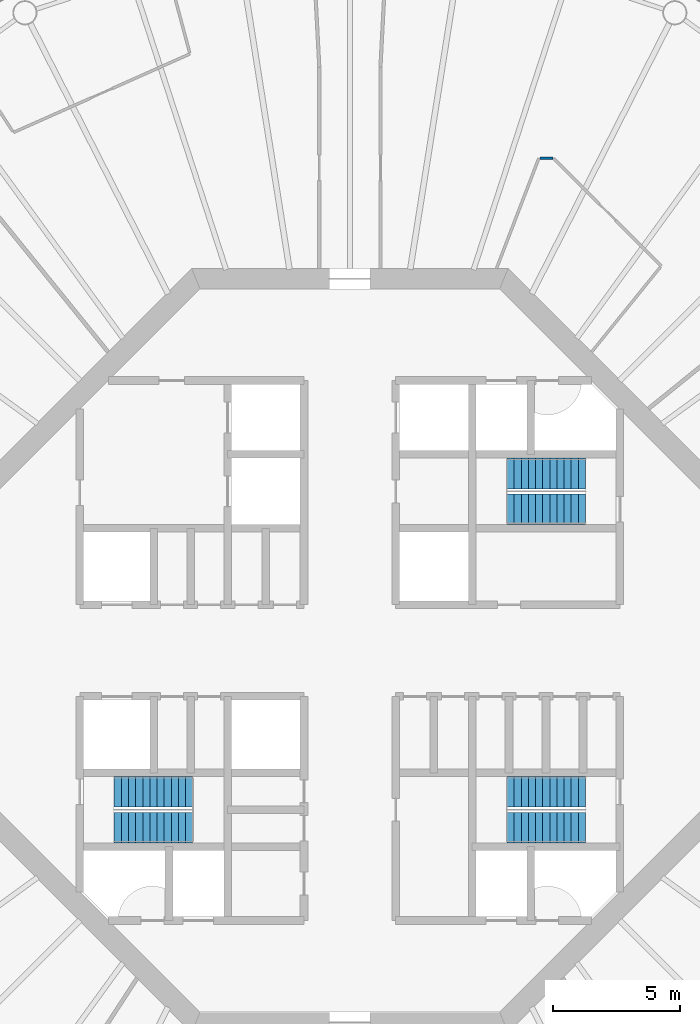
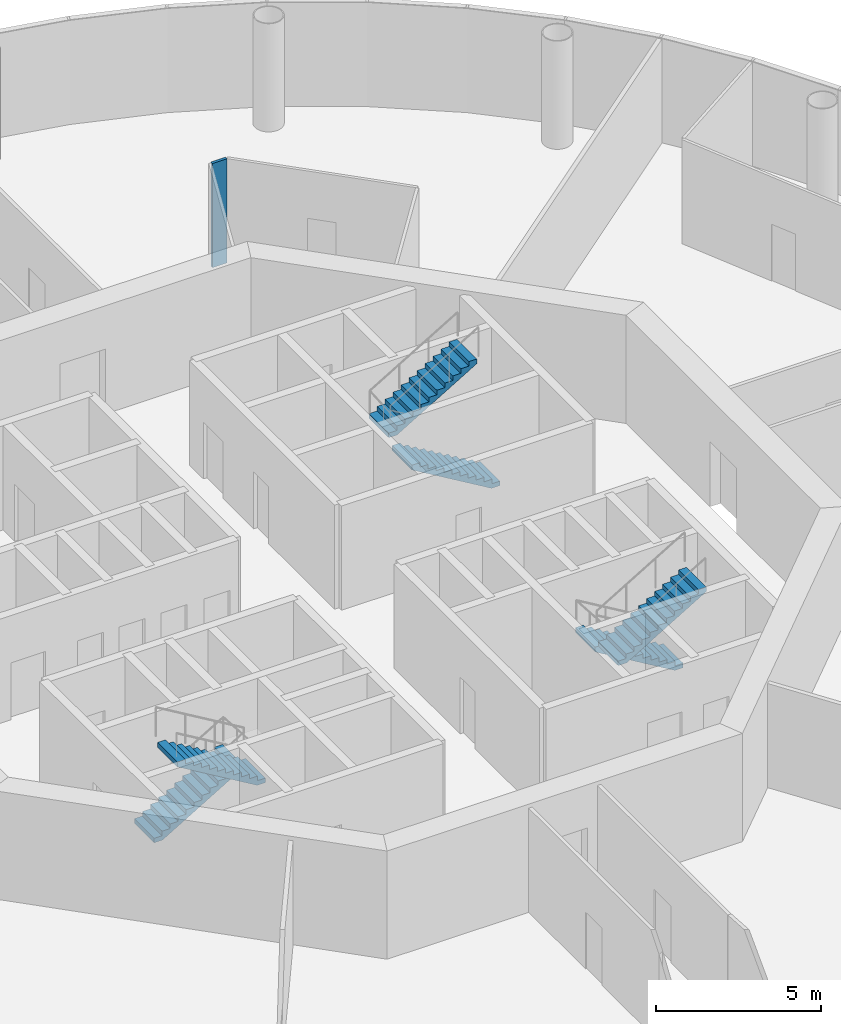
# One storey, part 6 of 13: 6 stair flights, 1 wall, 3 elements without a shape of their own.
"""IFC4 building model written with IfcOpenShell, lengths in metres."""

from ifc_helpers import new_model, si_unit, direction, frame, frame_2d, origin, place, context, subcontext, project, spatial, polyline, rectangle, outline, extrude, material, layer, layer_set, type_object, element, aggregate, save


model = new_model("IFC4")

# Units and contexts
model_context = context("Model", 3, precision=1e-05, world=origin(), true_north=direction((0.0, 1.0)))
body_context = subcontext(model_context, "Body", "Model", "MODEL_VIEW")
ifc_project = project(units=[si_unit("LENGTHUNIT", "METRE"), si_unit("AREAUNIT", "SQUARE_METRE"), si_unit("VOLUMEUNIT", "CUBIC_METRE"), si_unit("PLANEANGLEUNIT", "RADIAN"), si_unit("MASSUNIT", "GRAM", prefix="KILO")], contexts=[model_context])

# Site, building, storey
site_placement = place(None, origin())
site = spatial("IfcSite", under=ifc_project, at=site_placement, CompositionType="ELEMENT")
building_placement = place(site_placement, origin())
building = spatial("IfcBuilding", under=site, at=building_placement, Name="Entoto Ring Tower", CompositionType="ELEMENT")
storey_placement = place(building_placement, frame((0.0, 0.0, 318.0)))
storey = spatial("IfcBuildingStorey", under=building, at=storey_placement, Name="L73", CompositionType="ELEMENT", Elevation=318.0)

# Wall
ifc_material_1 = material(Name="Plasterboard on steel studs", Category="steel")
ifc_layer = layer(ifc_material_1, 0.10009765625)
ifc_layer_set = layer_set([ifc_layer], Name="Plasterboard on steel studs")
wall_type = type_object("IfcWallType", Name="Partition 100 mm plasterboard on steel studs", PredefinedType="PARTITIONING", material=ifc_layer_set)
wall_placement = place(storey_placement, frame((97.462890625, 99.320068359375, 0.0), z_axis=(0.0, 0.0, 1.0), x_axis=(1.0, 0.0, 0.0)))
element("IfcWall", 1, at=wall_placement, inside=storey, type_object=wall_type, Name="partition-L73-039", PredefinedType="PARTITIONING", context=body_context, shape_type="SweptSolid", body=[
    extrude(rectangle(XDim=0.504638671875, YDim=0.10009765625, at=frame_2d((0.25244140625, 0.0))), origin(), (0.0, 0.0, 1.0), 3.85009765625),
])

# Stair, stair flights
ifc_material_2 = material(Name="Concrete C40/50", Category="concrete")
stair_type = type_object("IfcStairType", Name="Exit stair 1200 mm dog-leg reinforced concrete", PredefinedType="HALF_TURN_STAIR", material=ifc_material_2)
stair_1_placement = place(storey_placement, origin())
stair_1 = element("IfcStair", 2, at=stair_1_placement, inside=storey, type_object=stair_type, Name="Exit stair 1", PredefinedType="HALF_TURN_STAIR")
ifc_material_3 = material(Name="Concrete C40/50", Category="concrete")
stair_flight_type = type_object("IfcStairFlightType", Name="Stair flight 1200 mm reinforced concrete", PredefinedType="STRAIGHT", material=ifc_material_3)
stair_flight_1_placement = place(storey_placement, frame((99.25, 85.550048828125, 0.0), z_axis=(0.0, 0.0, 1.0), x_axis=(-1.0, 0.0, 0.0)))
stair_flight_1 = element("IfcStairFlight", 3, at=stair_flight_1_placement, type_object=stair_flight_type, Name="ST1 flight 1", NumberOfRisers=12, NumberOfTreads=11, PredefinedType="STRAIGHT", RiserHeight=0.166666667, TreadLength=0.28, context=body_context, shape_type="SweptSolid", body=[
    extrude(outline(polyline([(0.0, 0.0), (0.0, 0.166748046875), (0.280029296875, 0.166748046875), (0.280029296875, 0.333251953125), (0.56005859375, 0.333251953125), (0.56005859375, 0.5), (0.840087890625, 0.5), (0.840087890625, 0.666748046875), (1.1201171875, 0.666748046875), (1.1201171875, 0.833251953125), (1.39990234375, 0.833251953125), (1.39990234375, 1.0), (1.679931640625, 1.0), (1.679931640625, 1.166748046875), (1.9599609375, 1.166748046875), (1.9599609375, 1.333251953125), (2.239990234375, 1.333251953125), (2.239990234375, 1.5), (2.52001953125, 1.5), (2.52001953125, 1.666748046875), (2.800048828125, 1.666748046875), (2.800048828125, 1.833251953125), (3.080078125, 1.833251953125), (3.080078125, 2.0), (3.080078125, 1.658935546875), (0.29296875, 0.0), (0.0, 0.0)])), frame((0.0, 0.60009765625, 0.0), z_axis=(0.0, -1.0, 0.0), x_axis=(1.0, 0.0, 0.0)), (0.0, 0.0, 1.0), 1.199951171875),
])
stair_flight_2_placement = place(storey_placement, frame((96.169921875, 86.949951171875, 2.0), z_axis=(0.0, 0.0, 1.0), x_axis=(1.0, 0.0, 0.0)))
stair_flight_2 = element("IfcStairFlight", 4, at=stair_flight_2_placement, type_object=stair_flight_type, Name="ST1 flight 2", NumberOfRisers=12, NumberOfTreads=11, PredefinedType="STRAIGHT", RiserHeight=0.166666667, TreadLength=0.28, context=body_context, shape_type="SweptSolid", body=[
    extrude(outline(polyline([(0.0, 0.0), (0.0, 0.166748046875), (0.280029296875, 0.166748046875), (0.280029296875, 0.333251953125), (0.56005859375, 0.333251953125), (0.56005859375, 0.5), (0.840087890625, 0.5), (0.840087890625, 0.666748046875), (1.1201171875, 0.666748046875), (1.1201171875, 0.833251953125), (1.39990234375, 0.833251953125), (1.39990234375, 1.0), (1.679931640625, 1.0), (1.679931640625, 1.166748046875), (1.9599609375, 1.166748046875), (1.9599609375, 1.333251953125), (2.239990234375, 1.333251953125), (2.239990234375, 1.5), (2.52001953125, 1.5), (2.52001953125, 1.666748046875), (2.800048828125, 1.666748046875), (2.800048828125, 1.833251953125), (3.080078125, 1.833251953125), (3.080078125, 2.0), (3.080078125, 1.658935546875), (0.29296875, 0.0), (0.0, 0.0)])), frame((0.0, 0.60009765625, 0.0), z_axis=(0.0, -1.0, 0.0), x_axis=(1.0, 0.0, 0.0)), (0.0, 0.0, 1.0), 1.199951171875),
])
aggregate(stair_1, [stair_flight_1, stair_flight_2])

stair_2_placement = place(storey_placement, origin())
stair_2 = element("IfcStair", 5, at=stair_2_placement, inside=storey, type_object=stair_type, Name="Exit stair 2", PredefinedType="HALF_TURN_STAIR")
stair_flight_3_placement = place(storey_placement, frame((80.75, 74.449951171875, 0.0), z_axis=(0.0, 0.0, 1.0), x_axis=(1.0, 0.0, 0.0)))
stair_flight_3 = element("IfcStairFlight", 6, at=stair_flight_3_placement, type_object=stair_flight_type, Name="ST2 flight 1", NumberOfRisers=12, NumberOfTreads=11, PredefinedType="STRAIGHT", RiserHeight=0.166666667, TreadLength=0.28, context=body_context, shape_type="SweptSolid", body=[
    extrude(outline(polyline([(0.0, 0.0), (0.0, 0.166748046875), (0.280029296875, 0.166748046875), (0.280029296875, 0.333251953125), (0.56005859375, 0.333251953125), (0.56005859375, 0.5), (0.840087890625, 0.5), (0.840087890625, 0.666748046875), (1.1201171875, 0.666748046875), (1.1201171875, 0.833251953125), (1.39990234375, 0.833251953125), (1.39990234375, 1.0), (1.679931640625, 1.0), (1.679931640625, 1.166748046875), (1.9599609375, 1.166748046875), (1.9599609375, 1.333251953125), (2.239990234375, 1.333251953125), (2.239990234375, 1.5), (2.52001953125, 1.5), (2.52001953125, 1.666748046875), (2.800048828125, 1.666748046875), (2.800048828125, 1.833251953125), (3.080078125, 1.833251953125), (3.080078125, 2.0), (3.080078125, 1.658935546875), (0.29296875, 0.0), (0.0, 0.0)])), frame((0.0, 0.60009765625, 0.0), z_axis=(0.0, -1.0, 0.0), x_axis=(1.0, 0.0, 0.0)), (0.0, 0.0, 1.0), 1.199951171875),
])
stair_flight_4_placement = place(storey_placement, frame((83.830078125, 73.050048828125, 2.0), z_axis=(0.0, 0.0, 1.0), x_axis=(-1.0, 0.0, 0.0)))
stair_flight_4 = element("IfcStairFlight", 7, at=stair_flight_4_placement, type_object=stair_flight_type, Name="ST2 flight 2", NumberOfRisers=12, NumberOfTreads=11, PredefinedType="STRAIGHT", RiserHeight=0.166666667, TreadLength=0.28, context=body_context, shape_type="SweptSolid", body=[
    extrude(outline(polyline([(0.0, 0.0), (0.0, 0.166748046875), (0.280029296875, 0.166748046875), (0.280029296875, 0.333251953125), (0.56005859375, 0.333251953125), (0.56005859375, 0.5), (0.840087890625, 0.5), (0.840087890625, 0.666748046875), (1.1201171875, 0.666748046875), (1.1201171875, 0.833251953125), (1.39990234375, 0.833251953125), (1.39990234375, 1.0), (1.679931640625, 1.0), (1.679931640625, 1.166748046875), (1.9599609375, 1.166748046875), (1.9599609375, 1.333251953125), (2.239990234375, 1.333251953125), (2.239990234375, 1.5), (2.52001953125, 1.5), (2.52001953125, 1.666748046875), (2.800048828125, 1.666748046875), (2.800048828125, 1.833251953125), (3.080078125, 1.833251953125), (3.080078125, 2.0), (3.080078125, 1.658935546875), (0.29296875, 0.0), (0.0, 0.0)])), frame((0.0, 0.60009765625, 0.0), z_axis=(0.0, -1.0, 0.0), x_axis=(1.0, 0.0, 0.0)), (0.0, 0.0, 1.0), 1.199951171875),
])
aggregate(stair_2, [stair_flight_3, stair_flight_4])

stair_3_placement = place(storey_placement, origin())
stair_3 = element("IfcStair", 8, at=stair_3_placement, inside=storey, type_object=stair_type, Name="Exit stair 3", PredefinedType="HALF_TURN_STAIR")
stair_flight_5_placement = place(storey_placement, frame((99.25, 74.449951171875, 0.0), z_axis=(0.0, 0.0, 1.0), x_axis=(-1.0, 0.0, 0.0)))
stair_flight_5 = element("IfcStairFlight", 9, at=stair_flight_5_placement, type_object=stair_flight_type, Name="ST3 flight 1", NumberOfRisers=12, NumberOfTreads=11, PredefinedType="STRAIGHT", RiserHeight=0.166666667, TreadLength=0.28, context=body_context, shape_type="SweptSolid", body=[
    extrude(outline(polyline([(0.0, 0.0), (0.0, 0.166748046875), (0.280029296875, 0.166748046875), (0.280029296875, 0.333251953125), (0.56005859375, 0.333251953125), (0.56005859375, 0.5), (0.840087890625, 0.5), (0.840087890625, 0.666748046875), (1.1201171875, 0.666748046875), (1.1201171875, 0.833251953125), (1.39990234375, 0.833251953125), (1.39990234375, 1.0), (1.679931640625, 1.0), (1.679931640625, 1.166748046875), (1.9599609375, 1.166748046875), (1.9599609375, 1.333251953125), (2.239990234375, 1.333251953125), (2.239990234375, 1.5), (2.52001953125, 1.5), (2.52001953125, 1.666748046875), (2.800048828125, 1.666748046875), (2.800048828125, 1.833251953125), (3.080078125, 1.833251953125), (3.080078125, 2.0), (3.080078125, 1.658935546875), (0.29296875, 0.0), (0.0, 0.0)])), frame((0.0, 0.60009765625, 0.0), z_axis=(0.0, -1.0, 0.0), x_axis=(1.0, 0.0, 0.0)), (0.0, 0.0, 1.0), 1.199951171875),
])
stair_flight_6_placement = place(storey_placement, frame((96.169921875, 73.050048828125, 2.0), z_axis=(0.0, 0.0, 1.0), x_axis=(1.0, 0.0, 0.0)))
stair_flight_6 = element("IfcStairFlight", 10, at=stair_flight_6_placement, type_object=stair_flight_type, Name="ST3 flight 2", NumberOfRisers=12, NumberOfTreads=11, PredefinedType="STRAIGHT", RiserHeight=0.166666667, TreadLength=0.28, context=body_context, shape_type="SweptSolid", body=[
    extrude(outline(polyline([(0.0, 0.0), (0.0, 0.166748046875), (0.280029296875, 0.166748046875), (0.280029296875, 0.333251953125), (0.56005859375, 0.333251953125), (0.56005859375, 0.5), (0.840087890625, 0.5), (0.840087890625, 0.666748046875), (1.1201171875, 0.666748046875), (1.1201171875, 0.833251953125), (1.39990234375, 0.833251953125), (1.39990234375, 1.0), (1.679931640625, 1.0), (1.679931640625, 1.166748046875), (1.9599609375, 1.166748046875), (1.9599609375, 1.333251953125), (2.239990234375, 1.333251953125), (2.239990234375, 1.5), (2.52001953125, 1.5), (2.52001953125, 1.666748046875), (2.800048828125, 1.666748046875), (2.800048828125, 1.833251953125), (3.080078125, 1.833251953125), (3.080078125, 2.0), (3.080078125, 1.658935546875), (0.29296875, 0.0), (0.0, 0.0)])), frame((0.0, 0.60009765625, 0.0), z_axis=(0.0, -1.0, 0.0), x_axis=(1.0, 0.0, 0.0)), (0.0, 0.0, 1.0), 1.199951171875),
])
aggregate(stair_3, [stair_flight_5, stair_flight_6])

save(model, "model.ifc")
